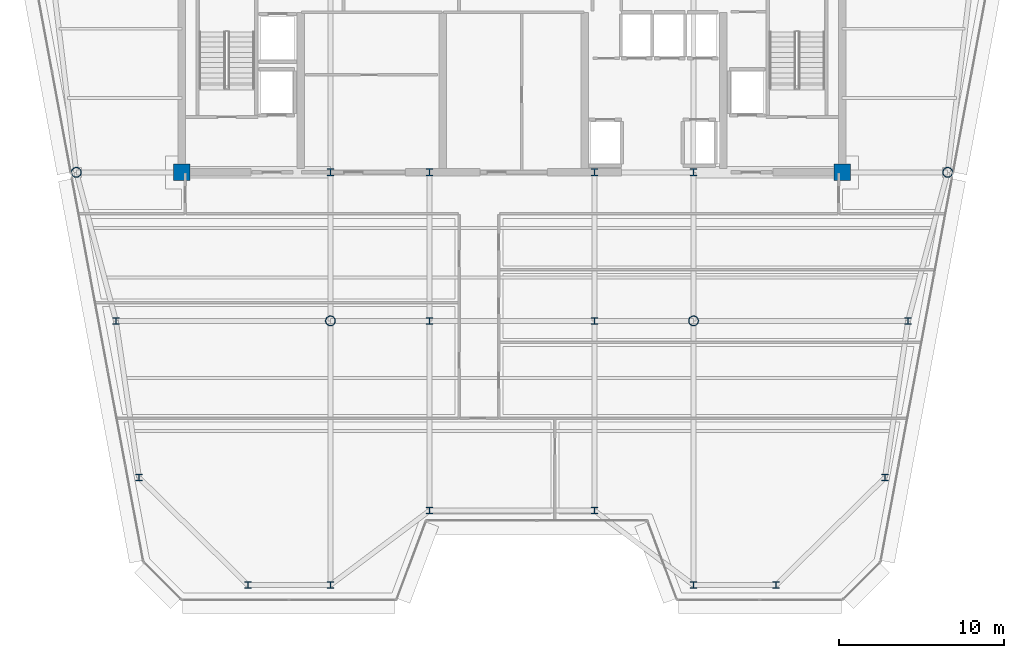
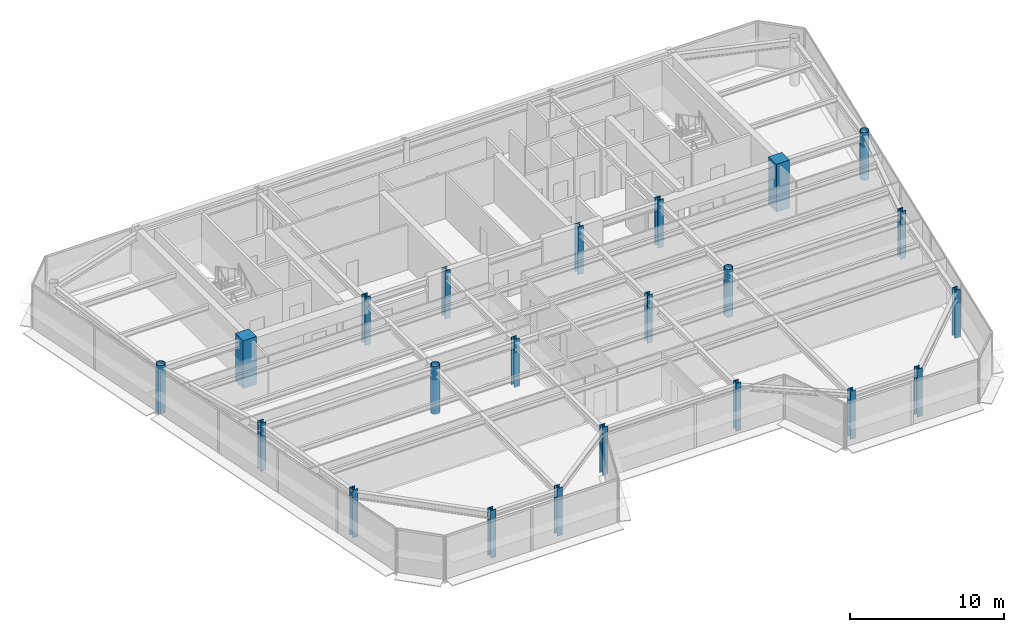
# One storey, part 1 of 18: 22 columns.
"""IFC4 building model written with IfcOpenShell, lengths in metres."""

from ifc_helpers import new_model, si_unit, direction, frame, origin, origin_2d, place, context, subcontext, project, spatial, rectangle, hollow_circle, i_section, extrude, source, transform, mapped, material, material_profile, profile_set, type_object, element, save


model = new_model("IFC4")

# Units and contexts
model_context = context("Model", 3, precision=1e-05, world=origin(), true_north=direction((0.0, 1.0)))
body_context = subcontext(model_context, "Body", "Model", "MODEL_VIEW")
ifc_project = project(units=[si_unit("LENGTHUNIT", "METRE"), si_unit("AREAUNIT", "SQUARE_METRE"), si_unit("VOLUMEUNIT", "CUBIC_METRE"), si_unit("PLANEANGLEUNIT", "RADIAN"), si_unit("MASSUNIT", "GRAM", prefix="KILO")], contexts=[model_context])

# Site, building, storey
site_placement = place(None, origin())
site = spatial("IfcSite", under=ifc_project, at=site_placement, CompositionType="ELEMENT")
building_placement = place(site_placement, origin())
building = spatial("IfcBuilding", under=site, at=building_placement, Name="Vaeldorn Concourse Tower", CompositionType="ELEMENT")
storey_placement = place(building_placement, frame((0.0, 0.0, 261.199951171875)))
storey = spatial("IfcBuildingStorey", under=building, at=storey_placement, Name="L67", CompositionType="ELEMENT", Elevation=261.199951171875)

# Columns
ifc_material_1 = material(Name="Concrete C50/60", Category="concrete")
ifc_material_profile_1 = material_profile(ifc_material_1, rectangle(XDim=1.0, YDim=1.0, at=origin_2d()), Name="RC 1000x1000")
ifc_profile_set_1 = profile_set([ifc_material_profile_1], Name="Concrete C50/60")
column_type_1 = type_object("IfcColumnType", Name="COL-RC1000", PredefinedType="COLUMN", material=ifc_profile_set_1)
shared_shape_1 = source(origin(), body_context, "Body", "SweptSolid", [
    extrude(rectangle(XDim=1.0, YDim=1.0, at=origin_2d()), origin(), (0.0, 0.0, 1.0), 3.800048828125),
])
for number, where, z_axis, x_axis, name in (
    (1, (14.0, 36.5, 0.0), (0.0, 0.0, 1.0), (1.0, 0.0, 0.0), "Column C-FC1 L67"),
    (2, (54.0, 36.5, 0.0), (0.0, 0.0, 1.0), (1.0, 0.0, 0.0), "Column C-FC6 L67"),
):
    element("IfcColumn", number, at=place(storey_placement, frame(where, z_axis=z_axis, x_axis=x_axis)), inside=storey, type_object=column_type_1, Name=name, PredefinedType="COLUMN", context=body_context, shape_type="MappedRepresentation", body=[
        mapped(shared_shape_1, transform((0.0, 0.0, 0.0), scale=1.0)),
    ])
ifc_material_2 = material(Name="Steel S460", Category="steel")
ifc_material_profile_2 = material_profile(ifc_material_2, i_section(OverallWidth=0.41796875, OverallDepth=0.455078125, WebThickness=0.0419921875, FlangeThickness=0.05810546875, FilletRadius=0.014892578125, at=origin_2d()), Name="HD 400x551")
ifc_profile_set_2 = profile_set([ifc_material_profile_2], Name="Steel S460")
column_type_2 = type_object("IfcColumnType", Name="COL-HD551", PredefinedType="COLUMN", material=ifc_profile_set_2)
shared_shape_2 = source(origin(), body_context, "Body", "SweptSolid", [
    extrude(i_section(OverallWidth=0.41796875, OverallDepth=0.455078125, WebThickness=0.0419921875, FlangeThickness=0.05810546875, FilletRadius=0.014892578125, at=origin_2d()), origin(), (0.0, 0.0, 1.0), 3.800048828125),
])
for number, where, z_axis, x_axis, name in (
    (3, (23.0, 36.5, 0.0), (0.0, 0.0, 1.0), (1.0, 0.0, 0.0), "Column C-FC2 L67"),
    (4, (29.0, 36.5, 0.0), (0.0, 0.0, 1.0), (1.0, 0.0, 0.0), "Column C-FC3 L67"),
    (5, (39.0, 36.5, 0.0), (0.0, 0.0, 1.0), (1.0, 0.0, 0.0), "Column C-FC4 L67"),
    (6, (45.0, 36.5, 0.0), (0.0, 0.0, 1.0), (1.0, 0.0, 0.0), "Column C-FC5 L67"),
):
    element("IfcColumn", number, at=place(storey_placement, frame(where, z_axis=z_axis, x_axis=x_axis)), inside=storey, type_object=column_type_2, Name=name, PredefinedType="COLUMN", context=body_context, shape_type="MappedRepresentation", body=[
        mapped(shared_shape_2, transform((0.0, 0.0, 0.0), scale=1.0)),
    ])
ifc_material_3 = material(Name="Steel S355", Category="steel")
ifc_material_profile_3 = material_profile(ifc_material_3, hollow_circle(Radius=0.304931640625, WallThickness=0.030029296875, at=origin_2d()), Name="CHS 610x30")
ifc_profile_set_3 = profile_set([ifc_material_profile_3], Name="Steel S355")
column_type_3 = type_object("IfcColumnType", Name="COL-CHS610", PredefinedType="COLUMN", material=ifc_profile_set_3)
shared_shape_3 = source(origin(), body_context, "Body", "SweptSolid", [
    extrude(hollow_circle(Radius=0.304931640625, WallThickness=0.030029296875, at=origin_2d()), origin(), (0.0, 0.0, 1.0), 3.800048828125),
])
for number, where, z_axis, x_axis, name in (
    (7, (7.60009765625, 36.5, 0.0), (0.0, 0.0, 1.0), (1.0, 0.0, 0.0), "Column C-NW2 L67"),
    (8, (60.39990234375, 36.5, 0.0), (0.0, 0.0, 1.0), (1.0, 0.0, 0.0), "Column C-NE2 L67"),
    (9, (23.0, 27.5, 0.0), (0.0, 0.0, 1.0), (1.0, 0.0, 0.0), "Column C-TW1 L67"),
    (10, (45.0, 27.5, 0.0), (0.0, 0.0, 1.0), (1.0, 0.0, 0.0), "Column C-TW4 L67"),
):
    element("IfcColumn", number, at=place(storey_placement, frame(where, z_axis=z_axis, x_axis=x_axis)), inside=storey, type_object=column_type_3, Name=name, PredefinedType="COLUMN", context=body_context, shape_type="MappedRepresentation", body=[
        mapped(shared_shape_3, transform((0.0, 0.0, 0.0), scale=1.0)),
    ])
ifc_material_profile_4 = material_profile(ifc_material_3, i_section(OverallWidth=0.40087890625, OverallDepth=0.39892578125, WebThickness=0.02490234375, FlangeThickness=0.034912109375, FilletRadius=0.014892578125, at=origin_2d()), Name="HD 400x314")
ifc_profile_set_4 = profile_set([ifc_material_profile_4], Name="Steel S355")
column_type_4 = type_object("IfcColumnType", Name="COL-HD314F", PredefinedType="COLUMN", material=ifc_profile_set_4)
shared_shape_4 = source(origin(), body_context, "Body", "SweptSolid", [
    extrude(i_section(OverallWidth=0.40087890625, OverallDepth=0.39892578125, WebThickness=0.02490234375, FlangeThickness=0.034912109375, FilletRadius=0.014892578125, at=origin_2d()), origin(), (0.0, 0.0, 1.0), 3.800048828125),
])
for number, where, z_axis, x_axis, name in (
    (11, (10.0, 27.5, 0.0), (0.0, 0.0, 1.0), (1.0, 0.0, 0.0), "Column C-FLW1 L67"),
    (12, (11.39990234375, 18.0, 0.0), (0.0, 0.0, 1.0), (1.0, 0.0, 0.0), "Column C-FLW2 L67"),
    (13, (58.0, 27.5, 0.0), (0.0, 0.0, 1.0), (1.0, 0.0, 0.0), "Column C-FLE1 L67"),
    (14, (56.60009765625, 18.0, 0.0), (0.0, 0.0, 1.0), (1.0, 0.0, 0.0), "Column C-FLE2 L67"),
):
    element("IfcColumn", number, at=place(storey_placement, frame(where, z_axis=z_axis, x_axis=x_axis)), inside=storey, type_object=column_type_4, Name=name, PredefinedType="COLUMN", context=body_context, shape_type="MappedRepresentation", body=[
        mapped(shared_shape_4, transform((0.0, 0.0, 0.0), scale=1.0)),
    ])
ifc_material_profile_5 = material_profile(ifc_material_3, i_section(OverallWidth=0.39794921875, OverallDepth=0.386962890625, WebThickness=0.0205078125, FlangeThickness=0.029052734375, FilletRadius=0.014892578125, at=origin_2d()), Name="HD 400x262")
ifc_profile_set_5 = profile_set([ifc_material_profile_5], Name="Steel S355")
column_type_5 = type_object("IfcColumnType", Name="COL-HD262T", PredefinedType="COLUMN", material=ifc_profile_set_5)
shared_shape_5 = source(origin(), body_context, "Body", "SweptSolid", [
    extrude(i_section(OverallWidth=0.39794921875, OverallDepth=0.386962890625, WebThickness=0.0205078125, FlangeThickness=0.029052734375, FilletRadius=0.014892578125, at=origin_2d()), origin(), (0.0, 0.0, 1.0), 3.800048828125),
])
for number, where, z_axis, x_axis, name in (
    (15, (29.0, 27.5, 0.0), (0.0, 0.0, 1.0), (1.0, 0.0, 0.0), "Column C-TW2 L67"),
    (16, (39.0, 27.5, 0.0), (0.0, 0.0, 1.0), (1.0, 0.0, 0.0), "Column C-TW3 L67"),
    (17, (18.0, 11.5, 0.0), (0.0, 0.0, 1.0), (1.0, 0.0, 0.0), "Column C-SF1 L67"),
    (18, (23.0, 11.5, 0.0), (0.0, 0.0, 1.0), (1.0, 0.0, 0.0), "Column C-SF2 L67"),
    (19, (29.0, 16.0, 0.0), (0.0, 0.0, 1.0), (1.0, 0.0, 0.0), "Column C-SF3 L67"),
    (20, (39.0, 16.0, 0.0), (0.0, 0.0, 1.0), (1.0, 0.0, 0.0), "Column C-SF4 L67"),
    (21, (45.0, 11.5, 0.0), (0.0, 0.0, 1.0), (1.0, 0.0, 0.0), "Column C-SF5 L67"),
    (22, (50.0, 11.5, 0.0), (0.0, 0.0, 1.0), (1.0, 0.0, 0.0), "Column C-SF6 L67"),
):
    element("IfcColumn", number, at=place(storey_placement, frame(where, z_axis=z_axis, x_axis=x_axis)), inside=storey, type_object=column_type_5, Name=name, PredefinedType="COLUMN", context=body_context, shape_type="MappedRepresentation", body=[
        mapped(shared_shape_5, transform((0.0, 0.0, 0.0), scale=1.0)),
    ])

save(model, "model.ifc")
